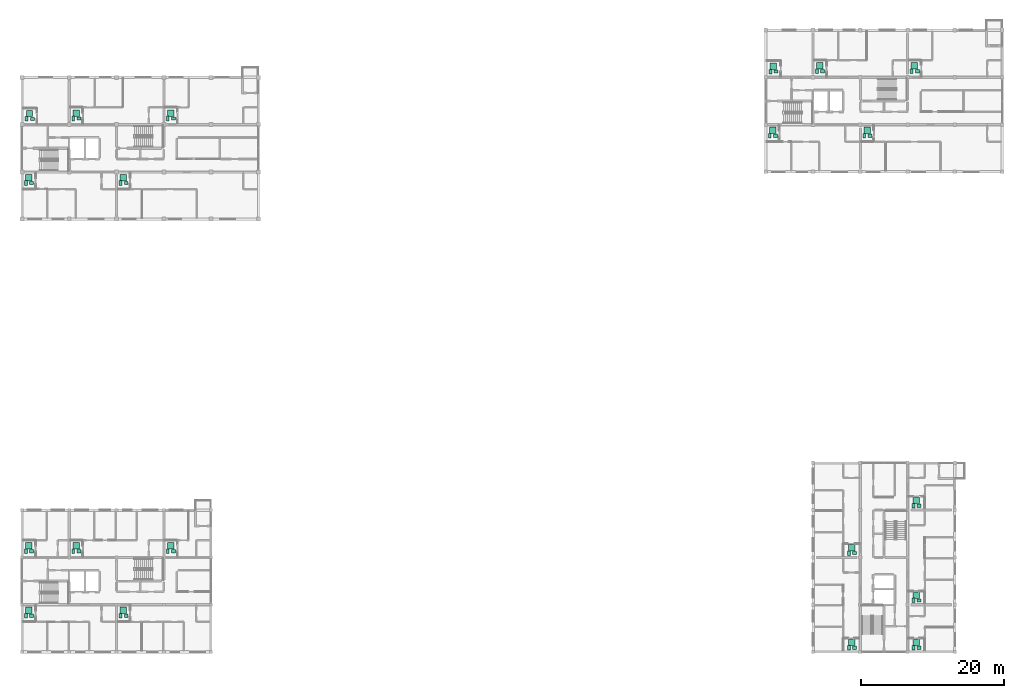
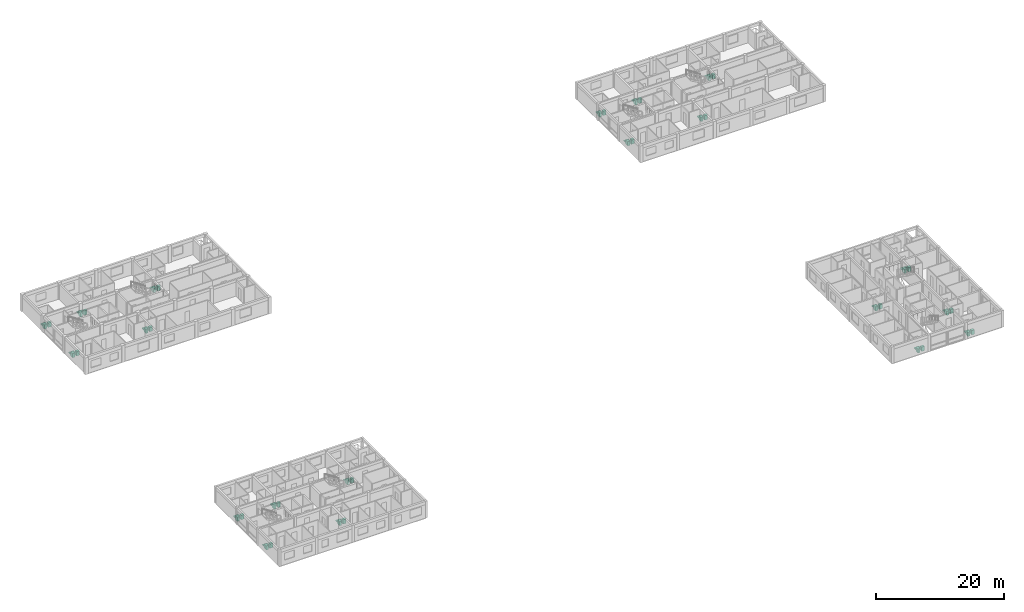
# One storey, part 45 of 45: 60 sanitary terminals.
"""IFC4 building model written with IfcOpenShell, lengths in metres."""

from ifc_helpers import new_model, si_unit, direction, frame, origin, origin_2d, place, context, subcontext, project, spatial, rectangle, extrude, material, type_object, element, save


model = new_model("IFC4")

# Units and contexts
model_context = context("Model", 3, precision=1e-05, world=origin(), true_north=direction((0.0, 1.0)))
body_context = subcontext(model_context, "Body", "Model", "MODEL_VIEW")
ifc_project = project(units=[si_unit("LENGTHUNIT", "METRE"), si_unit("AREAUNIT", "SQUARE_METRE"), si_unit("VOLUMEUNIT", "CUBIC_METRE"), si_unit("PLANEANGLEUNIT", "RADIAN"), si_unit("MASSUNIT", "GRAM", prefix="KILO")], contexts=[model_context])

# Site, building, storey
site_placement = place(None, origin())
site = spatial("IfcSite", under=ifc_project, at=site_placement, CompositionType="ELEMENT")
building_placement = place(site_placement, origin())
building = spatial("IfcBuilding", under=site, at=building_placement, Name="Kernevlak Ridge Housing Community", CompositionType="ELEMENT")
storey_placement = place(building_placement, frame((0.0, 0.0, 14.800048828125)))
storey = spatial("IfcBuildingStorey", under=building, at=storey_placement, Name="L04", CompositionType="ELEMENT", Elevation=14.800048828125)

# Sanitary terminals
ifc_material_1 = material(Name="Vitreous china ceramic")
sanitary_terminal_type_1 = type_object("IfcSanitaryTerminalType", Name="SN-BS", PredefinedType="WASHHANDBASIN", material=ifc_material_1)
for number, where, z_axis, x_axis, name in (
    (1, (16.949951171875, 81.050048828125, 0.0), (0.0, 0.0, 1.0), (1.0, 0.0, 0.0), "Washhand basin 20"),
    (2, (30.14990234375, 81.050048828125, 0.0), (0.0, 0.0, 1.0), (1.0, 0.0, 0.0), "Washhand basin 21"),
    (3, (17.050048828125, 90.0, 0.0), (0.0, 0.0, 1.0), (1.0, 0.0, 0.0), "Washhand basin 22"),
    (4, (23.550048828125, 90.050048828125, 0.0), (0.0, 0.0, 1.0), (1.0, 0.0, 0.0), "Washhand basin 23"),
    (5, (36.75, 90.050048828125, 0.0), (0.0, 0.0, 1.0), (1.0, 0.0, 0.0), "Washhand basin 24"),
    (6, (120.75, 87.64990234375, 0.0), (0.0, 0.0, 1.0), (1.0, 0.0, 0.0), "Washhand basin 117"),
    (7, (133.949951171875, 87.64990234375, 0.0), (0.0, 0.0, 1.0), (1.0, 0.0, 0.0), "Washhand basin 118"),
    (8, (120.85009765625, 96.60009765625, 0.0), (0.0, 0.0, 1.0), (1.0, 0.0, 0.0), "Washhand basin 119"),
    (9, (127.35009765625, 96.64990234375, 0.0), (0.0, 0.0, 1.0), (1.0, 0.0, 0.0), "Washhand basin 120"),
    (10, (140.550048828125, 96.64990234375, 0.0), (0.0, 0.0, 1.0), (1.0, 0.0, 0.0), "Washhand basin 121"),
    (11, (131.800048828125, 16.199951171875, 0.0), (0.0, 0.0, 1.0), (1.0, 0.0, 0.0), "Washhand basin 199"),
    (12, (131.800048828125, 29.39990234375, 0.0), (0.0, 0.0, 1.0), (1.0, 0.0, 0.0), "Washhand basin 200"),
    (13, (140.800048828125, 16.199951171875, 0.0), (0.0, 0.0, 1.0), (1.0, 0.0, 0.0), "Washhand basin 201"),
    (14, (140.800048828125, 22.800048828125, 0.0), (0.0, 0.0, 1.0), (1.0, 0.0, 0.0), "Washhand basin 202"),
    (15, (140.800048828125, 36.0, 0.0), (0.0, 0.0, 1.0), (1.0, 0.0, 0.0), "Washhand basin 203"),
    (16, (16.949951171875, 20.64990234375, 0.0), (0.0, 0.0, 1.0), (1.0, 0.0, 0.0), "Washhand basin 264"),
    (17, (30.14990234375, 20.64990234375, 0.0), (0.0, 0.0, 1.0), (1.0, 0.0, 0.0), "Washhand basin 265"),
    (18, (16.949951171875, 29.64990234375, 0.0), (0.0, 0.0, 1.0), (1.0, 0.0, 0.0), "Washhand basin 266"),
    (19, (23.550048828125, 29.64990234375, 0.0), (0.0, 0.0, 1.0), (1.0, 0.0, 0.0), "Washhand basin 267"),
    (20, (36.75, 29.64990234375, 0.0), (0.0, 0.0, 1.0), (1.0, 0.0, 0.0), "Washhand basin 268"),
):
    element("IfcSanitaryTerminal", number, at=place(storey_placement, frame(where, z_axis=z_axis, x_axis=x_axis)), inside=storey, type_object=sanitary_terminal_type_1, Name=name, PredefinedType="WASHHANDBASIN", context=body_context, shape_type="SweptSolid", body=[
        extrude(rectangle(XDim=0.550048828125, YDim=0.449951171875, at=origin_2d()), origin(), (0.0, 0.0, 1.0), 0.820068359375),
    ])
ifc_material_2 = material(Name="Glazed porcelain ceramic")
sanitary_terminal_type_2 = type_object("IfcSanitaryTerminalType", Name="SN-SH", PredefinedType="SHOWER", material=ifc_material_2)
for number, where, z_axis, x_axis, name in (
    (21, (16.550048828125, 81.800048828125, 0.0), (0.0, 0.0, 1.0), (1.0, 0.0, 0.0), "Shower tray 20"),
    (22, (29.75, 81.800048828125, 0.0), (0.0, 0.0, 1.0), (1.0, 0.0, 0.0), "Shower tray 21"),
    (23, (16.64990234375, 90.75, 0.0), (0.0, 0.0, 1.0), (1.0, 0.0, 0.0), "Shower tray 22"),
    (24, (23.14990234375, 90.800048828125, 0.0), (0.0, 0.0, 1.0), (1.0, 0.0, 0.0), "Shower tray 23"),
    (25, (36.35009765625, 90.800048828125, 0.0), (0.0, 0.0, 1.0), (1.0, 0.0, 0.0), "Shower tray 24"),
    (26, (120.35009765625, 88.39990234375, 0.0), (0.0, 0.0, 1.0), (1.0, 0.0, 0.0), "Shower tray 117"),
    (27, (133.550048828125, 88.39990234375, 0.0), (0.0, 0.0, 1.0), (1.0, 0.0, 0.0), "Shower tray 118"),
    (28, (120.449951171875, 97.35009765625, 0.0), (0.0, 0.0, 1.0), (1.0, 0.0, 0.0), "Shower tray 119"),
    (29, (126.949951171875, 97.39990234375, 0.0), (0.0, 0.0, 1.0), (1.0, 0.0, 0.0), "Shower tray 120"),
    (30, (140.14990234375, 97.39990234375, 0.0), (0.0, 0.0, 1.0), (1.0, 0.0, 0.0), "Shower tray 121"),
    (31, (131.39990234375, 16.949951171875, 0.0), (0.0, 0.0, 1.0), (1.0, 0.0, 0.0), "Shower tray 199"),
    (32, (131.39990234375, 30.14990234375, 0.0), (0.0, 0.0, 1.0), (1.0, 0.0, 0.0), "Shower tray 200"),
    (33, (140.39990234375, 16.949951171875, 0.0), (0.0, 0.0, 1.0), (1.0, 0.0, 0.0), "Shower tray 201"),
    (34, (140.39990234375, 23.550048828125, 0.0), (0.0, 0.0, 1.0), (1.0, 0.0, 0.0), "Shower tray 202"),
    (35, (140.39990234375, 36.75, 0.0), (0.0, 0.0, 1.0), (1.0, 0.0, 0.0), "Shower tray 203"),
    (36, (16.550048828125, 21.39990234375, 0.0), (0.0, 0.0, 1.0), (1.0, 0.0, 0.0), "Shower tray 264"),
    (37, (29.75, 21.39990234375, 0.0), (0.0, 0.0, 1.0), (1.0, 0.0, 0.0), "Shower tray 265"),
    (38, (16.550048828125, 30.39990234375, 0.0), (0.0, 0.0, 1.0), (1.0, 0.0, 0.0), "Shower tray 266"),
    (39, (23.14990234375, 30.39990234375, 0.0), (0.0, 0.0, 1.0), (1.0, 0.0, 0.0), "Shower tray 267"),
    (40, (36.35009765625, 30.39990234375, 0.0), (0.0, 0.0, 1.0), (1.0, 0.0, 0.0), "Shower tray 268"),
):
    element("IfcSanitaryTerminal", number, at=place(storey_placement, frame(where, z_axis=z_axis, x_axis=x_axis)), inside=storey, type_object=sanitary_terminal_type_2, Name=name, PredefinedType="SHOWER", context=body_context, shape_type="SweptSolid", body=[
        extrude(rectangle(XDim=0.89990234375, YDim=0.89990234375, at=origin_2d()), origin(), (0.0, 0.0, 1.0), 0.1201171875),
    ])
sanitary_terminal_type_3 = type_object("IfcSanitaryTerminalType", Name="SN-WC", PredefinedType="TOILETPAN", material=ifc_material_1)
for number, where, z_axis, x_axis, name in (
    (41, (16.14990234375, 81.050048828125, 0.0), (0.0, 0.0, 1.0), (1.0, 0.0, 0.0), "WC pan 20"),
    (42, (29.35009765625, 81.050048828125, 0.0), (0.0, 0.0, 1.0), (1.0, 0.0, 0.0), "WC pan 21"),
    (43, (16.25, 90.0, 0.0), (0.0, 0.0, 1.0), (1.0, 0.0, 0.0), "WC pan 22"),
    (44, (22.75, 90.050048828125, 0.0), (0.0, 0.0, 1.0), (1.0, 0.0, 0.0), "WC pan 23"),
    (45, (35.949951171875, 90.050048828125, 0.0), (0.0, 0.0, 1.0), (1.0, 0.0, 0.0), "WC pan 24"),
    (46, (119.949951171875, 87.64990234375, 0.0), (0.0, 0.0, 1.0), (1.0, 0.0, 0.0), "WC pan 117"),
    (47, (133.14990234375, 87.64990234375, 0.0), (0.0, 0.0, 1.0), (1.0, 0.0, 0.0), "WC pan 118"),
    (48, (120.050048828125, 96.60009765625, 0.0), (0.0, 0.0, 1.0), (1.0, 0.0, 0.0), "WC pan 119"),
    (49, (126.550048828125, 96.64990234375, 0.0), (0.0, 0.0, 1.0), (1.0, 0.0, 0.0), "WC pan 120"),
    (50, (139.75, 96.64990234375, 0.0), (0.0, 0.0, 1.0), (1.0, 0.0, 0.0), "WC pan 121"),
    (51, (131.0, 16.199951171875, 0.0), (0.0, 0.0, 1.0), (1.0, 0.0, 0.0), "WC pan 199"),
    (52, (131.0, 29.39990234375, 0.0), (0.0, 0.0, 1.0), (1.0, 0.0, 0.0), "WC pan 200"),
    (53, (140.0, 16.199951171875, 0.0), (0.0, 0.0, 1.0), (1.0, 0.0, 0.0), "WC pan 201"),
    (54, (140.0, 22.800048828125, 0.0), (0.0, 0.0, 1.0), (1.0, 0.0, 0.0), "WC pan 202"),
    (55, (140.0, 36.0, 0.0), (0.0, 0.0, 1.0), (1.0, 0.0, 0.0), "WC pan 203"),
    (56, (16.14990234375, 20.64990234375, 0.0), (0.0, 0.0, 1.0), (1.0, 0.0, 0.0), "WC pan 264"),
    (57, (29.35009765625, 20.64990234375, 0.0), (0.0, 0.0, 1.0), (1.0, 0.0, 0.0), "WC pan 265"),
    (58, (16.14990234375, 29.64990234375, 0.0), (0.0, 0.0, 1.0), (1.0, 0.0, 0.0), "WC pan 266"),
    (59, (22.75, 29.64990234375, 0.0), (0.0, 0.0, 1.0), (1.0, 0.0, 0.0), "WC pan 267"),
    (60, (35.949951171875, 29.64990234375, 0.0), (0.0, 0.0, 1.0), (1.0, 0.0, 0.0), "WC pan 268"),
):
    element("IfcSanitaryTerminal", number, at=place(storey_placement, frame(where, z_axis=z_axis, x_axis=x_axis)), inside=storey, type_object=sanitary_terminal_type_3, Name=name, PredefinedType="TOILETPAN", context=body_context, shape_type="SweptSolid", body=[
        extrude(rectangle(XDim=0.39990234375, YDim=0.64990234375, at=origin_2d()), origin(), (0.0, 0.0, 1.0), 0.780029296875),
    ])

save(model, "model.ifc")
